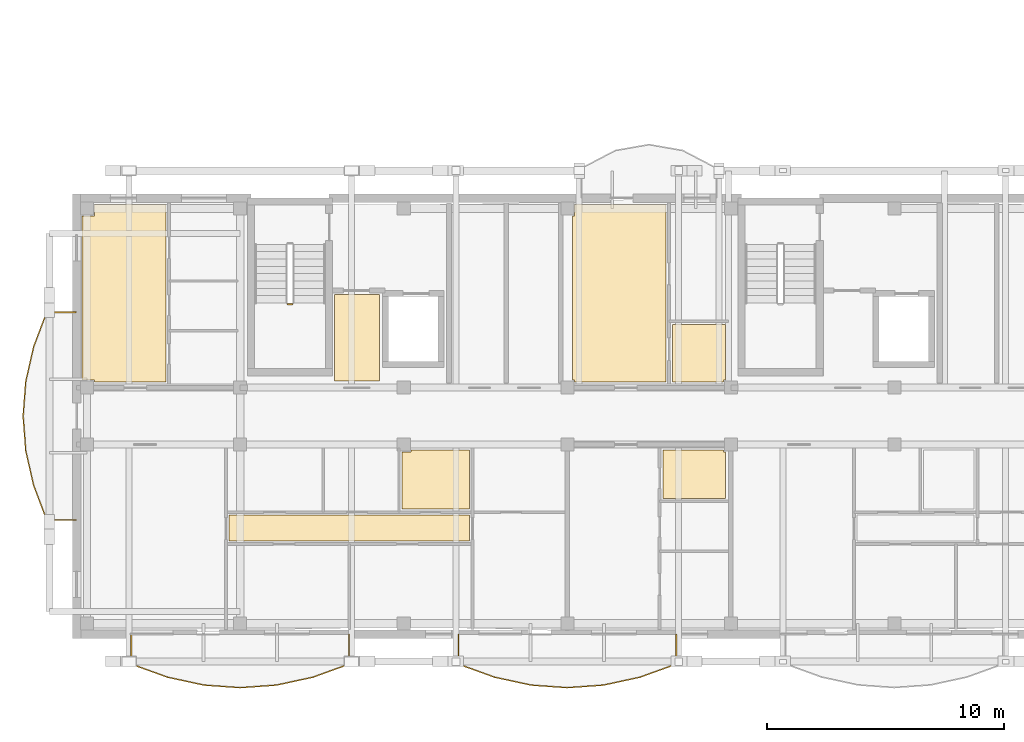
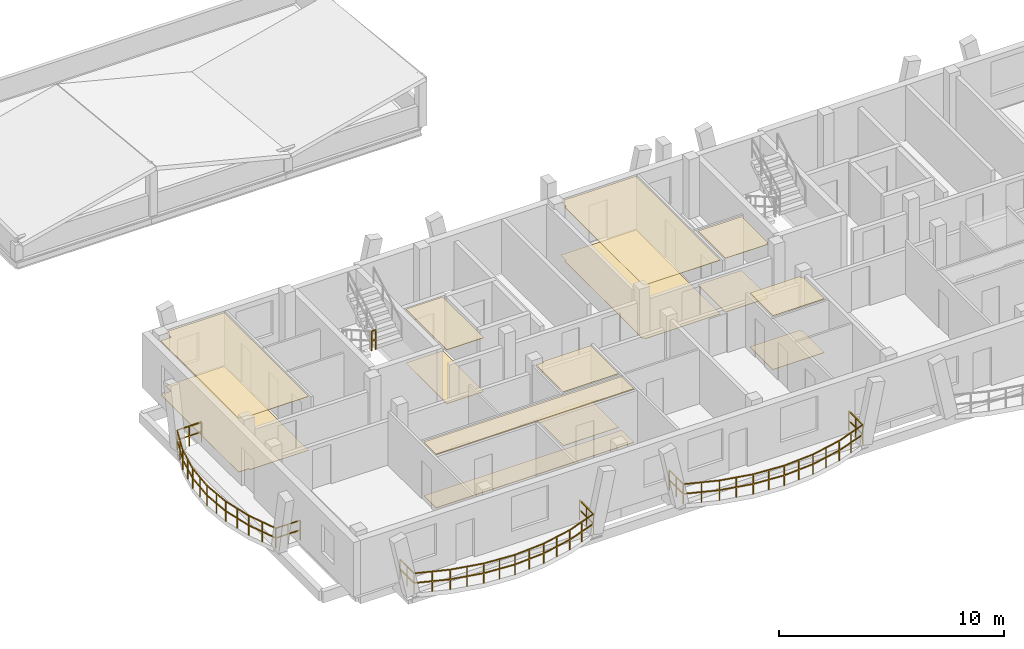
# One storey, part 39 of 50: 14 coverings, 4 railings.
"""IFC4 building model written with IfcOpenShell, lengths in metres."""

from ifc_helpers import new_model, si_unit, direction, frame, origin, origin_2d, place, context, subcontext, project, spatial, polyline, rectangle, outline, extrude, material, layer, layer_set, type_object, element, save


model = new_model("IFC4")

# Units and contexts
model_context = context("Model", 3, precision=1e-05, world=origin(), true_north=direction((0.0, 1.0)))
body_context = subcontext(model_context, "Body", "Model", "MODEL_VIEW")
ifc_project = project(units=[si_unit("LENGTHUNIT", "METRE"), si_unit("AREAUNIT", "SQUARE_METRE"), si_unit("VOLUMEUNIT", "CUBIC_METRE"), si_unit("PLANEANGLEUNIT", "RADIAN"), si_unit("MASSUNIT", "GRAM", prefix="KILO")], contexts=[model_context])

# Site, building, storey
site_placement = place(None, origin())
site = spatial("IfcSite", under=ifc_project, at=site_placement, CompositionType="ELEMENT")
building_placement = place(site_placement, origin())
building = spatial("IfcBuilding", under=site, at=building_placement, Name="Zavelmont Quarter", CompositionType="ELEMENT")
storey_placement = place(building_placement, frame((0.0, 0.0, 11.199951171875)))
storey = spatial("IfcBuildingStorey", under=building, at=storey_placement, Name="L03", CompositionType="ELEMENT", Elevation=11.199951171875)

# Coverings
ifc_material_1 = material(Name="Perforated acoustic gypsum board")
ifc_layer_1 = layer(ifc_material_1, 0.02490234375)
ifc_layer_set_1 = layer_set([ifc_layer_1], Name="Perforated acoustic gypsum board")
covering_type_1 = type_object("IfcCoveringType", Name="CV-CL01", PredefinedType="CEILING", material=ifc_layer_set_1)
covering_1_placement = place(storey_placement, frame((0.0, 0.0, 2.9150390625)))
element("IfcCovering", 1, at=covering_1_placement, inside=storey, type_object=covering_type_1, Name="L03 Lobby Vestibule acoustic ceiling", PredefinedType="CEILING", context=body_context, shape_type="SweptSolid", body=[
    extrude(outline(polyline([(10.8798828125, 14.320068359375), (12.77001953125, 14.320068359375), (12.77001953125, 10.679931640625), (10.8798828125, 10.679931640625), (10.8798828125, 14.320068359375)])), origin(), (0.0, 0.0, 1.0), 0.02490234375),
])
covering_2_placement = place(storey_placement, frame((0.0, 0.0, 2.9150390625)))
element("IfcCovering", 2, at=covering_2_placement, inside=storey, type_object=covering_type_1, Name="L03 Utility Laundry acoustic ceiling", PredefinedType="CEILING", context=body_context, shape_type="SweptSolid", body=[
    extrude(outline(polyline([(13.72998046875, 7.68505859375), (14.114990234375, 7.68505859375), (14.114990234375, 7.77001953125), (16.570068359375, 7.77001953125), (16.570068359375, 5.280029296875), (13.72998046875, 5.280029296875), (13.72998046875, 7.68505859375)])), origin(), (0.0, 0.0, 1.0), 0.02490234375),
])
covering_3_placement = place(storey_placement, frame((0.0, 0.0, 2.9150390625)))
element("IfcCovering", 3, at=covering_3_placement, inside=storey, type_object=covering_type_1, Name="L03 Kitchen acoustic ceiling", PredefinedType="CEILING", context=body_context, shape_type="SweptSolid", body=[
    extrude(outline(polyline([(24.72998046875, 7.77001953125), (27.284912109375, 7.77001953125), (27.284912109375, 7.68505859375), (27.3701171875, 7.68505859375), (27.3701171875, 5.72998046875), (24.72998046875, 5.72998046875), (24.72998046875, 7.77001953125)])), origin(), (0.0, 0.0, 1.0), 0.02490234375),
])
covering_4_placement = place(storey_placement, frame((0.0, 0.0, 2.9150390625)))
element("IfcCovering", 4, at=covering_4_placement, inside=storey, type_object=covering_type_1, Name="L03 Living Dining acoustic ceiling", PredefinedType="CEILING", context=body_context, shape_type="SweptSolid", body=[
    extrude(outline(polyline([(0.22998046875, 17.64501953125), (0.7548828125, 17.64501953125), (0.7548828125, 18.1201171875), (3.77001953125, 18.1201171875), (3.77001953125, 10.6298828125), (0.7548828125, 10.6298828125), (0.7548828125, 10.715087890625), (0.22998046875, 10.715087890625), (0.22998046875, 17.64501953125)])), origin(), (0.0, 0.0, 1.0), 0.02490234375),
])
covering_5_placement = place(storey_placement, frame((0.0, 0.0, 2.9150390625)))
element("IfcCovering", 5, at=covering_5_placement, inside=storey, type_object=covering_type_1, Name="L03 Residents Study Lounge acoustic ceiling", PredefinedType="CEILING", context=body_context, shape_type="SweptSolid", body=[
    extrude(outline(polyline([(20.929931640625, 17.64501953125), (21.014892578125, 17.64501953125), (21.014892578125, 18.1201171875), (24.8701171875, 18.1201171875), (24.8701171875, 10.6298828125), (21.014892578125, 10.6298828125), (21.014892578125, 10.715087890625), (20.929931640625, 10.715087890625), (20.929931640625, 17.64501953125)])), origin(), (0.0, 0.0, 1.0), 0.02490234375),
])
ifc_material_2 = material(Name="Slatted European ash acoustic baffle ceiling")
ifc_layer_2 = layer(ifc_material_2, 0.0400390625)
ifc_layer_set_2 = layer_set([ifc_layer_2], Name="Slatted European ash acoustic baffle ceiling")
covering_type_2 = type_object("IfcCoveringType", Name="CV-CL02", PredefinedType="CEILING", material=ifc_layer_set_2)
covering_6_placement = place(storey_placement, frame((0.0, 0.0, 2.900146484375)))
element("IfcCovering", 6, at=covering_6_placement, inside=storey, type_object=covering_type_2, Name="L03 Apartment Hall acoustic ceiling", PredefinedType="CEILING", context=body_context, shape_type="SweptSolid", body=[
    extrude(outline(polyline([(6.429931640625, 5.02001953125), (16.570068359375, 5.02001953125), (16.570068359375, 3.929931640625), (6.429931640625, 3.929931640625), (6.429931640625, 5.02001953125)])), origin(), (0.0, 0.0, 1.0), 0.039794921875),
])
ifc_material_3 = material(Name="Moisture-resistant painted gypsum ceiling")
ifc_layer_3 = layer(ifc_material_3, 0.02001953125)
ifc_layer_set_3 = layer_set([ifc_layer_3], Name="Moisture-resistant painted gypsum ceiling")
covering_type_3 = type_object("IfcCoveringType", Name="CV-CL04", PredefinedType="CEILING", material=ifc_layer_set_3)
covering_7_placement = place(storey_placement, frame((0.0, 0.0, 2.920166015625)))
element("IfcCovering", 7, at=covering_7_placement, inside=storey, type_object=covering_type_3, Name="L03 Accessible Toilet acoustic ceiling", PredefinedType="CEILING", context=body_context, shape_type="SweptSolid", body=[
    extrude(outline(polyline([(25.1298828125, 13.070068359375), (27.3701171875, 13.070068359375), (27.3701171875, 10.715087890625), (27.284912109375, 10.715087890625), (27.284912109375, 10.6298828125), (25.1298828125, 10.6298828125), (25.1298828125, 13.070068359375)])), origin(), (0.0, 0.0, 1.0), 0.019775390625),
])
ifc_material_4 = material(Name="Engineered European oak parquet")
ifc_layer_4 = layer(ifc_material_4, 0.02197265625)
ifc_layer_set_4 = layer_set([ifc_layer_4], Name="Engineered European oak parquet")
covering_type_4 = type_object("IfcCoveringType", Name="CV-FL01", PredefinedType="FLOORING", material=ifc_layer_set_4)
covering_8_placement = place(storey_placement, origin())
element("IfcCovering", 8, at=covering_8_placement, inside=storey, type_object=covering_type_4, Name="L03 Lobby Vestibule floor finish", PredefinedType="FLOORING", context=body_context, shape_type="SweptSolid", body=[
    extrude(outline(polyline([(10.8798828125, 14.320068359375), (12.77001953125, 14.320068359375), (12.77001953125, 10.679931640625), (10.8798828125, 10.679931640625), (10.8798828125, 14.320068359375)])), origin(), (0.0, 0.0, 1.0), 0.02197265625),
])
covering_9_placement = place(storey_placement, origin())
element("IfcCovering", 9, at=covering_9_placement, inside=storey, type_object=covering_type_4, Name="L03 Utility Laundry floor finish", PredefinedType="FLOORING", context=body_context, shape_type="SweptSolid", body=[
    extrude(outline(polyline([(13.72998046875, 7.68505859375), (14.114990234375, 7.68505859375), (14.114990234375, 7.77001953125), (16.570068359375, 7.77001953125), (16.570068359375, 5.280029296875), (13.72998046875, 5.280029296875), (13.72998046875, 7.68505859375)])), origin(), (0.0, 0.0, 1.0), 0.02197265625),
])
covering_10_placement = place(storey_placement, origin())
element("IfcCovering", 10, at=covering_10_placement, inside=storey, type_object=covering_type_4, Name="L03 Kitchen floor finish", PredefinedType="FLOORING", context=body_context, shape_type="SweptSolid", body=[
    extrude(outline(polyline([(24.72998046875, 7.77001953125), (27.284912109375, 7.77001953125), (27.284912109375, 7.68505859375), (27.3701171875, 7.68505859375), (27.3701171875, 5.72998046875), (24.72998046875, 5.72998046875), (24.72998046875, 7.77001953125)])), origin(), (0.0, 0.0, 1.0), 0.02197265625),
])
covering_11_placement = place(storey_placement, origin())
element("IfcCovering", 11, at=covering_11_placement, inside=storey, type_object=covering_type_4, Name="L03 Living Dining floor finish", PredefinedType="FLOORING", context=body_context, shape_type="SweptSolid", body=[
    extrude(outline(polyline([(0.22998046875, 17.64501953125), (0.7548828125, 17.64501953125), (0.7548828125, 18.1201171875), (3.77001953125, 18.1201171875), (3.77001953125, 10.6298828125), (0.7548828125, 10.6298828125), (0.7548828125, 10.715087890625), (0.22998046875, 10.715087890625), (0.22998046875, 17.64501953125)])), origin(), (0.0, 0.0, 1.0), 0.02197265625),
])
covering_12_placement = place(storey_placement, origin())
element("IfcCovering", 12, at=covering_12_placement, inside=storey, type_object=covering_type_4, Name="L03 Residents Study Lounge floor finish", PredefinedType="FLOORING", context=body_context, shape_type="SweptSolid", body=[
    extrude(outline(polyline([(20.929931640625, 17.64501953125), (21.014892578125, 17.64501953125), (21.014892578125, 18.1201171875), (24.8701171875, 18.1201171875), (24.8701171875, 10.6298828125), (21.014892578125, 10.6298828125), (21.014892578125, 10.715087890625), (20.929931640625, 10.715087890625), (20.929931640625, 17.64501953125)])), origin(), (0.0, 0.0, 1.0), 0.02197265625),
])
ifc_material_5 = material(Name="Honed Belgian bluestone tile", Category="masonry")
ifc_layer_5 = layer(ifc_material_5, 0.030029296875)
ifc_layer_set_5 = layer_set([ifc_layer_5], Name="Honed Belgian bluestone tile")
covering_type_5 = type_object("IfcCoveringType", Name="CV-FL02", PredefinedType="FLOORING", material=ifc_layer_set_5)
covering_13_placement = place(storey_placement, origin())
element("IfcCovering", 13, at=covering_13_placement, inside=storey, type_object=covering_type_5, Name="L03 Apartment Hall floor finish", PredefinedType="FLOORING", context=body_context, shape_type="SweptSolid", body=[
    extrude(outline(polyline([(6.429931640625, 5.02001953125), (16.570068359375, 5.02001953125), (16.570068359375, 3.929931640625), (6.429931640625, 3.929931640625), (6.429931640625, 5.02001953125)])), origin(), (0.0, 0.0, 1.0), 0.030029296875),
])
ifc_material_6 = material(Name="Slip-resistant porcelain tile")
ifc_layer_6 = layer(ifc_material_6, 0.02587890625)
ifc_layer_set_6 = layer_set([ifc_layer_6], Name="Slip-resistant porcelain tile")
covering_type_6 = type_object("IfcCoveringType", Name="CV-FL04", PredefinedType="FLOORING", material=ifc_layer_set_6)
covering_14_placement = place(storey_placement, origin())
element("IfcCovering", 14, at=covering_14_placement, inside=storey, type_object=covering_type_6, Name="L03 Accessible Toilet floor finish", PredefinedType="FLOORING", context=body_context, shape_type="SweptSolid", body=[
    extrude(outline(polyline([(25.1298828125, 13.070068359375), (27.3701171875, 13.070068359375), (27.3701171875, 10.715087890625), (27.284912109375, 10.715087890625), (27.284912109375, 10.6298828125), (25.1298828125, 10.6298828125), (25.1298828125, 13.070068359375)])), origin(), (0.0, 0.0, 1.0), 0.026123046875),
])

# Railings
ifc_material_7 = material(Name="Powder-coated steel and tempered double safety glass", Category="steel")
railing_type_1 = type_object("IfcRailingType", Name="RL-BAL1", PredefinedType="BALUSTRADE", material=ifc_material_7)
railing_1_placement = place(storey_placement, frame((2.302978515625, -0.02001953125, 0.0)))
element("IfcRailing", 15, at=railing_1_placement, inside=storey, type_object=railing_type_1, Name="L03 Block A curved balcony guard RL-BAL1", PredefinedType="BALUSTRADE", context=body_context, shape_type="SweptSolid", body=[
    extrude(rectangle(XDim=0.048095703125, YDim=0.048095703125, at=origin_2d()), frame((0.0, 0.0, 1.076171875), z_axis=(0.0, -1.0, 0.0), x_axis=(1.0, 0.0, 0.0)), (0.0, 0.0, 1.0), 1.24658203125),
    extrude(rectangle(XDim=0.048095703125, YDim=0.048095703125, at=origin_2d()), frame((0.0, 0.0, 0.550048828125), z_axis=(0.0, -1.0, 0.0), x_axis=(1.0, 0.0, 0.0)), (0.0, 0.0, 1.0), 1.24658203125),
    extrude(rectangle(XDim=0.048095703125, YDim=0.048095703125, at=origin_2d()), frame((0.0, -1.24658203125, 1.076171875), z_axis=(0.940617720772, -0.339467676474, 0.0), x_axis=(0.339467676474, 0.940617720772, 0.0)), (0.0, 0.0, 1.0), 1.62890625),
    extrude(rectangle(XDim=0.048095703125, YDim=0.048095703125, at=origin_2d()), frame((0.0, -1.24658203125, 0.550048828125), z_axis=(0.940617720772, -0.339467676474, 0.0), x_axis=(0.339467676474, 0.940617720772, 0.0)), (0.0, 0.0, 1.0), 1.62890625),
    extrude(rectangle(XDim=0.048095703125, YDim=0.048095703125, at=origin_2d()), frame((1.5322265625, -1.799560546875, 1.076171875), z_axis=(0.977355888614, -0.211602143162, 0.0), x_axis=(0.211602143162, 0.977355888614, 0.0)), (0.0, 0.0, 1.0), 1.56787109375),
    extrude(rectangle(XDim=0.048095703125, YDim=0.048095703125, at=origin_2d()), frame((1.5322265625, -1.799560546875, 0.550048828125), z_axis=(0.977355888614, -0.211602143162, 0.0), x_axis=(0.211602143162, 0.977355888614, 0.0)), (0.0, 0.0, 1.0), 1.56787109375),
    extrude(rectangle(XDim=0.048095703125, YDim=0.048095703125, at=origin_2d()), frame((3.064697265625, -2.13134765625, 1.076171875), z_axis=(0.997405177831, -0.071992438744, 0.0), x_axis=(0.071992438744, 0.997405177831, 0.0)), (0.0, 0.0, 1.0), 1.5361328125),
    extrude(rectangle(XDim=0.048095703125, YDim=0.048095703125, at=origin_2d()), frame((3.064697265625, -2.13134765625, 0.550048828125), z_axis=(0.997405177831, -0.071992438744, 0.0), x_axis=(0.071992438744, 0.997405177831, 0.0)), (0.0, 0.0, 1.0), 1.5361328125),
    extrude(rectangle(XDim=0.048095703125, YDim=0.048095703125, at=origin_2d()), frame((4.596923828125, -2.241943359375, 1.076171875), z_axis=(0.997406001322, 0.071981028931, 0.0), x_axis=(-0.071981028931, 0.997406001322, 0.0)), (0.0, 0.0, 1.0), 1.536376953125),
    extrude(rectangle(XDim=0.048095703125, YDim=0.048095703125, at=origin_2d()), frame((4.596923828125, -2.241943359375, 0.550048828125), z_axis=(0.997406001322, 0.071981028931, 0.0), x_axis=(-0.071981028931, 0.997406001322, 0.0)), (0.0, 0.0, 1.0), 1.536376953125),
    extrude(rectangle(XDim=0.048095703125, YDim=0.048095703125, at=origin_2d()), frame((6.12939453125, -2.13134765625, 1.076171875), z_axis=(0.97734891529, 0.211634349248, 0.0), x_axis=(-0.211634349248, 0.97734891529, 0.0)), (0.0, 0.0, 1.0), 1.567626953125),
    extrude(rectangle(XDim=0.048095703125, YDim=0.048095703125, at=origin_2d()), frame((6.12939453125, -2.13134765625, 0.550048828125), z_axis=(0.97734891529, 0.211634349248, 0.0), x_axis=(-0.211634349248, 0.97734891529, 0.0)), (0.0, 0.0, 1.0), 1.567626953125),
    extrude(rectangle(XDim=0.048095703125, YDim=0.048095703125, at=origin_2d()), frame((7.66162109375, -1.799560546875, 1.076171875), z_axis=(0.940634988502, 0.339419826184, 0.0), x_axis=(-0.339419826184, 0.940634988502, 0.0)), (0.0, 0.0, 1.0), 1.629150390625),
    extrude(rectangle(XDim=0.048095703125, YDim=0.048095703125, at=origin_2d()), frame((7.66162109375, -1.799560546875, 0.550048828125), z_axis=(0.940634988502, 0.339419826184, 0.0), x_axis=(-0.339419826184, 0.940634988502, 0.0)), (0.0, 0.0, 1.0), 1.629150390625),
    extrude(rectangle(XDim=0.048095703125, YDim=0.048095703125, at=origin_2d()), frame((9.194091796875, -1.24658203125, 1.076171875), z_axis=(0.0, 1.0, 0.0), x_axis=(-1.0, 0.0, 0.0)), (0.0, 0.0, 1.0), 1.24658203125),
    extrude(rectangle(XDim=0.048095703125, YDim=0.048095703125, at=origin_2d()), frame((9.194091796875, -1.24658203125, 0.550048828125), z_axis=(0.0, 1.0, 0.0), x_axis=(-1.0, 0.0, 0.0)), (0.0, 0.0, 1.0), 1.24658203125),
    extrude(rectangle(XDim=0.0419921875, YDim=0.0419921875, at=origin_2d()), origin(), (0.0, 0.0, 1.0), 1.052001953125),
    extrude(rectangle(XDim=0.0419921875, YDim=0.0419921875, at=origin_2d()), frame((0.0, -0.623291015625, 0.0)), (0.0, 0.0, 1.0), 1.052001953125),
    extrude(rectangle(XDim=0.0419921875, YDim=0.0419921875, at=origin_2d()), frame((0.0, -1.24658203125, 0.0)), (0.0, 0.0, 1.0), 1.052001953125),
    extrude(rectangle(XDim=0.0419921875, YDim=0.0419921875, at=origin_2d()), frame((0.76611328125, -1.52294921875, 0.0)), (0.0, 0.0, 1.0), 1.052001953125),
    extrude(rectangle(XDim=0.0419921875, YDim=0.0419921875, at=origin_2d()), frame((1.5322265625, -1.799560546875, 0.0)), (0.0, 0.0, 1.0), 1.052001953125),
    extrude(rectangle(XDim=0.0419921875, YDim=0.0419921875, at=origin_2d()), frame((2.29833984375, -1.96533203125, 0.0)), (0.0, 0.0, 1.0), 1.052001953125),
    extrude(rectangle(XDim=0.0419921875, YDim=0.0419921875, at=origin_2d()), frame((3.064697265625, -2.13134765625, 0.0)), (0.0, 0.0, 1.0), 1.052001953125),
    extrude(rectangle(XDim=0.0419921875, YDim=0.0419921875, at=origin_2d()), frame((3.830810546875, -2.1865234375, 0.0)), (0.0, 0.0, 1.0), 1.052001953125),
    extrude(rectangle(XDim=0.0419921875, YDim=0.0419921875, at=origin_2d()), frame((4.596923828125, -2.241943359375, 0.0)), (0.0, 0.0, 1.0), 1.052001953125),
    extrude(rectangle(XDim=0.0419921875, YDim=0.0419921875, at=origin_2d()), frame((5.36328125, -2.1865234375, 0.0)), (0.0, 0.0, 1.0), 1.052001953125),
    extrude(rectangle(XDim=0.0419921875, YDim=0.0419921875, at=origin_2d()), frame((6.12939453125, -2.13134765625, 0.0)), (0.0, 0.0, 1.0), 1.052001953125),
    extrude(rectangle(XDim=0.0419921875, YDim=0.0419921875, at=origin_2d()), frame((6.8955078125, -1.96533203125, 0.0)), (0.0, 0.0, 1.0), 1.052001953125),
    extrude(rectangle(XDim=0.0419921875, YDim=0.0419921875, at=origin_2d()), frame((7.66162109375, -1.799560546875, 0.0)), (0.0, 0.0, 1.0), 1.052001953125),
    extrude(rectangle(XDim=0.0419921875, YDim=0.0419921875, at=origin_2d()), frame((8.427734375, -1.52294921875, 0.0)), (0.0, 0.0, 1.0), 1.052001953125),
    extrude(rectangle(XDim=0.0419921875, YDim=0.0419921875, at=origin_2d()), frame((9.194091796875, -1.24658203125, 0.0)), (0.0, 0.0, 1.0), 1.052001953125),
    extrude(rectangle(XDim=0.0419921875, YDim=0.0419921875, at=origin_2d()), frame((9.194091796875, -0.623291015625, 0.0)), (0.0, 0.0, 1.0), 1.052001953125),
    extrude(rectangle(XDim=0.0419921875, YDim=0.0419921875, at=origin_2d()), frame((9.194091796875, 0.0, 0.0)), (0.0, 0.0, 1.0), 1.052001953125),
])
railing_2_placement = place(storey_placement, frame((16.102783203125, -0.02001953125, 0.0)))
element("IfcRailing", 16, at=railing_2_placement, inside=storey, type_object=railing_type_1, Name="L03 Block A curved balcony guard RL-BAL1", PredefinedType="BALUSTRADE", context=body_context, shape_type="SweptSolid", body=[
    extrude(rectangle(XDim=0.048095703125, YDim=0.048095703125, at=origin_2d()), frame((0.0, 0.0, 1.076171875), z_axis=(0.0, -1.0, 0.0), x_axis=(1.0, 0.0, 0.0)), (0.0, 0.0, 1.0), 1.24658203125),
    extrude(rectangle(XDim=0.048095703125, YDim=0.048095703125, at=origin_2d()), frame((0.0, 0.0, 0.550048828125), z_axis=(0.0, -1.0, 0.0), x_axis=(1.0, 0.0, 0.0)), (0.0, 0.0, 1.0), 1.24658203125),
    extrude(rectangle(XDim=0.048095703125, YDim=0.048095703125, at=origin_2d()), frame((0.0, -1.24658203125, 1.076171875), z_axis=(0.940634988502, -0.339419826184, 0.0), x_axis=(0.339419826184, 0.940634988502, 0.0)), (0.0, 0.0, 1.0), 1.629150390625),
    extrude(rectangle(XDim=0.048095703125, YDim=0.048095703125, at=origin_2d()), frame((0.0, -1.24658203125, 0.550048828125), z_axis=(0.940634988502, -0.339419826184, 0.0), x_axis=(0.339419826184, 0.940634988502, 0.0)), (0.0, 0.0, 1.0), 1.629150390625),
    extrude(rectangle(XDim=0.048095703125, YDim=0.048095703125, at=origin_2d()), frame((1.532470703125, -1.799560546875, 1.076171875), z_axis=(0.97734891529, -0.211634349248, 0.0), x_axis=(0.211634349248, 0.97734891529, 0.0)), (0.0, 0.0, 1.0), 1.567626953125),
    extrude(rectangle(XDim=0.048095703125, YDim=0.048095703125, at=origin_2d()), frame((1.532470703125, -1.799560546875, 0.550048828125), z_axis=(0.97734891529, -0.211634349248, 0.0), x_axis=(0.211634349248, 0.97734891529, 0.0)), (0.0, 0.0, 1.0), 1.567626953125),
    extrude(rectangle(XDim=0.048095703125, YDim=0.048095703125, at=origin_2d()), frame((3.064697265625, -2.13134765625, 1.076171875), z_axis=(0.997406001322, -0.071981028931, 0.0), x_axis=(0.071981028931, 0.997406001322, 0.0)), (0.0, 0.0, 1.0), 1.536376953125),
    extrude(rectangle(XDim=0.048095703125, YDim=0.048095703125, at=origin_2d()), frame((3.064697265625, -2.13134765625, 0.550048828125), z_axis=(0.997406001322, -0.071981028931, 0.0), x_axis=(0.071981028931, 0.997406001322, 0.0)), (0.0, 0.0, 1.0), 1.536376953125),
    extrude(rectangle(XDim=0.048095703125, YDim=0.048095703125, at=origin_2d()), frame((4.59716796875, -2.241943359375, 1.076171875), z_axis=(0.997406001322, 0.071981028931, 0.0), x_axis=(-0.071981028931, 0.997406001322, 0.0)), (0.0, 0.0, 1.0), 1.536376953125),
    extrude(rectangle(XDim=0.048095703125, YDim=0.048095703125, at=origin_2d()), frame((4.59716796875, -2.241943359375, 0.550048828125), z_axis=(0.997406001322, 0.071981028931, 0.0), x_axis=(-0.071981028931, 0.997406001322, 0.0)), (0.0, 0.0, 1.0), 1.536376953125),
    extrude(rectangle(XDim=0.048095703125, YDim=0.048095703125, at=origin_2d()), frame((6.129638671875, -2.13134765625, 1.076171875), z_axis=(0.97734891529, 0.211634349248, 0.0), x_axis=(-0.211634349248, 0.97734891529, 0.0)), (0.0, 0.0, 1.0), 1.567626953125),
    extrude(rectangle(XDim=0.048095703125, YDim=0.048095703125, at=origin_2d()), frame((6.129638671875, -2.13134765625, 0.550048828125), z_axis=(0.97734891529, 0.211634349248, 0.0), x_axis=(-0.211634349248, 0.97734891529, 0.0)), (0.0, 0.0, 1.0), 1.567626953125),
    extrude(rectangle(XDim=0.048095703125, YDim=0.048095703125, at=origin_2d()), frame((7.661865234375, -1.799560546875, 1.076171875), z_axis=(0.940634988502, 0.339419826184, 0.0), x_axis=(-0.339419826184, 0.940634988502, 0.0)), (0.0, 0.0, 1.0), 1.629150390625),
    extrude(rectangle(XDim=0.048095703125, YDim=0.048095703125, at=origin_2d()), frame((7.661865234375, -1.799560546875, 0.550048828125), z_axis=(0.940634988502, 0.339419826184, 0.0), x_axis=(-0.339419826184, 0.940634988502, 0.0)), (0.0, 0.0, 1.0), 1.629150390625),
    extrude(rectangle(XDim=0.048095703125, YDim=0.048095703125, at=origin_2d()), frame((9.1943359375, -1.24658203125, 1.076171875), z_axis=(0.0, 1.0, 0.0), x_axis=(-1.0, 0.0, 0.0)), (0.0, 0.0, 1.0), 1.24658203125),
    extrude(rectangle(XDim=0.048095703125, YDim=0.048095703125, at=origin_2d()), frame((9.1943359375, -1.24658203125, 0.550048828125), z_axis=(0.0, 1.0, 0.0), x_axis=(-1.0, 0.0, 0.0)), (0.0, 0.0, 1.0), 1.24658203125),
    extrude(rectangle(XDim=0.0419921875, YDim=0.0419921875, at=origin_2d()), origin(), (0.0, 0.0, 1.0), 1.052001953125),
    extrude(rectangle(XDim=0.0419921875, YDim=0.0419921875, at=origin_2d()), frame((0.0, -0.623291015625, 0.0)), (0.0, 0.0, 1.0), 1.052001953125),
    extrude(rectangle(XDim=0.0419921875, YDim=0.0419921875, at=origin_2d()), frame((0.0, -1.24658203125, 0.0)), (0.0, 0.0, 1.0), 1.052001953125),
    extrude(rectangle(XDim=0.0419921875, YDim=0.0419921875, at=origin_2d()), frame((0.76611328125, -1.52294921875, 0.0)), (0.0, 0.0, 1.0), 1.052001953125),
    extrude(rectangle(XDim=0.0419921875, YDim=0.0419921875, at=origin_2d()), frame((1.532470703125, -1.799560546875, 0.0)), (0.0, 0.0, 1.0), 1.052001953125),
    extrude(rectangle(XDim=0.0419921875, YDim=0.0419921875, at=origin_2d()), frame((2.298583984375, -1.96533203125, 0.0)), (0.0, 0.0, 1.0), 1.052001953125),
    extrude(rectangle(XDim=0.0419921875, YDim=0.0419921875, at=origin_2d()), frame((3.064697265625, -2.13134765625, 0.0)), (0.0, 0.0, 1.0), 1.052001953125),
    extrude(rectangle(XDim=0.0419921875, YDim=0.0419921875, at=origin_2d()), frame((3.8310546875, -2.1865234375, 0.0)), (0.0, 0.0, 1.0), 1.052001953125),
    extrude(rectangle(XDim=0.0419921875, YDim=0.0419921875, at=origin_2d()), frame((4.59716796875, -2.241943359375, 0.0)), (0.0, 0.0, 1.0), 1.052001953125),
    extrude(rectangle(XDim=0.0419921875, YDim=0.0419921875, at=origin_2d()), frame((5.36328125, -2.1865234375, 0.0)), (0.0, 0.0, 1.0), 1.052001953125),
    extrude(rectangle(XDim=0.0419921875, YDim=0.0419921875, at=origin_2d()), frame((6.129638671875, -2.13134765625, 0.0)), (0.0, 0.0, 1.0), 1.052001953125),
    extrude(rectangle(XDim=0.0419921875, YDim=0.0419921875, at=origin_2d()), frame((6.895751953125, -1.96533203125, 0.0)), (0.0, 0.0, 1.0), 1.052001953125),
    extrude(rectangle(XDim=0.0419921875, YDim=0.0419921875, at=origin_2d()), frame((7.661865234375, -1.799560546875, 0.0)), (0.0, 0.0, 1.0), 1.052001953125),
    extrude(rectangle(XDim=0.0419921875, YDim=0.0419921875, at=origin_2d()), frame((8.42822265625, -1.52294921875, 0.0)), (0.0, 0.0, 1.0), 1.052001953125),
    extrude(rectangle(XDim=0.0419921875, YDim=0.0419921875, at=origin_2d()), frame((9.1943359375, -1.24658203125, 0.0)), (0.0, 0.0, 1.0), 1.052001953125),
    extrude(rectangle(XDim=0.0419921875, YDim=0.0419921875, at=origin_2d()), frame((9.1943359375, -0.623291015625, 0.0)), (0.0, 0.0, 1.0), 1.052001953125),
    extrude(rectangle(XDim=0.0419921875, YDim=0.0419921875, at=origin_2d()), frame((9.1943359375, 0.0, 0.0)), (0.0, 0.0, 1.0), 1.052001953125),
])
railing_3_placement = place(storey_placement, frame((-0.02001953125, 13.5830078125, 0.0)))
element("IfcRailing", 17, at=railing_3_placement, inside=storey, type_object=railing_type_1, Name="L03 Block A curved balcony guard RL-BAL1", PredefinedType="BALUSTRADE", context=body_context, shape_type="SweptSolid", body=[
    extrude(rectangle(XDim=0.048095703125, YDim=0.048095703125, at=origin_2d()), frame((0.0, 0.0, 1.076171875), z_axis=(-1.0, 0.0, 0.0), x_axis=(0.0, -1.0, 0.0)), (0.0, 0.0, 1.0), 1.24658203125),
    extrude(rectangle(XDim=0.048095703125, YDim=0.048095703125, at=origin_2d()), frame((0.0, 0.0, 0.550048828125), z_axis=(-1.0, 0.0, 0.0), x_axis=(0.0, -1.0, 0.0)), (0.0, 0.0, 1.0), 1.24658203125),
    extrude(rectangle(XDim=0.048095703125, YDim=0.048095703125, at=origin_2d()), frame((-1.24658203125, 0.0, 1.076171875), z_axis=(-0.353999251839, -0.935245705522, 0.0), x_axis=(0.935245705522, -0.353999251839, 0.0)), (0.0, 0.0, 1.0), 1.56201171875),
    extrude(rectangle(XDim=0.048095703125, YDim=0.048095703125, at=origin_2d()), frame((-1.24658203125, 0.0, 0.550048828125), z_axis=(-0.353999251839, -0.935245705522, 0.0), x_axis=(0.935245705522, -0.353999251839, 0.0)), (0.0, 0.0, 1.0), 1.56201171875),
    extrude(rectangle(XDim=0.048095703125, YDim=0.048095703125, at=origin_2d()), frame((-1.799560546875, -1.4609375, 1.076171875), z_axis=(-0.221430953226, -0.975176052287, 0.0), x_axis=(0.975176052287, -0.221430953226, 0.0)), (0.0, 0.0, 1.0), 1.498291015625),
    extrude(rectangle(XDim=0.048095703125, YDim=0.048095703125, at=origin_2d()), frame((-1.799560546875, -1.4609375, 0.550048828125), z_axis=(-0.221430953226, -0.975176052287, 0.0), x_axis=(0.975176052287, -0.221430953226, 0.0)), (0.0, 0.0, 1.0), 1.498291015625),
    extrude(rectangle(XDim=0.048095703125, YDim=0.048095703125, at=origin_2d()), frame((-2.13134765625, -2.922119140625, 1.076171875), z_axis=(-0.075485884411, -0.997146870453, 0.0), x_axis=(0.997146870453, -0.075485884411, 0.0)), (0.0, 0.0, 1.0), 1.465087890625),
    extrude(rectangle(XDim=0.048095703125, YDim=0.048095703125, at=origin_2d()), frame((-2.13134765625, -2.922119140625, 0.550048828125), z_axis=(-0.075485884411, -0.997146870453, 0.0), x_axis=(0.997146870453, -0.075485884411, 0.0)), (0.0, 0.0, 1.0), 1.465087890625),
    extrude(rectangle(XDim=0.048095703125, YDim=0.048095703125, at=origin_2d()), frame((-2.241943359375, -4.383056640625, 1.076171875), z_axis=(0.075485884411, -0.997146870453, 0.0), x_axis=(0.997146870453, 0.075485884411, 0.0)), (0.0, 0.0, 1.0), 1.465087890625),
    extrude(rectangle(XDim=0.048095703125, YDim=0.048095703125, at=origin_2d()), frame((-2.241943359375, -4.383056640625, 0.550048828125), z_axis=(0.075485884411, -0.997146870453, 0.0), x_axis=(0.997146870453, 0.075485884411, 0.0)), (0.0, 0.0, 1.0), 1.465087890625),
    extrude(rectangle(XDim=0.048095703125, YDim=0.048095703125, at=origin_2d()), frame((-2.13134765625, -5.843994140625, 1.076171875), z_axis=(0.221466142269, -0.975168061325, 0.0), x_axis=(0.975168061325, 0.221466142269, 0.0)), (0.0, 0.0, 1.0), 1.498046875),
    extrude(rectangle(XDim=0.048095703125, YDim=0.048095703125, at=origin_2d()), frame((-2.13134765625, -5.843994140625, 0.550048828125), z_axis=(0.221466142269, -0.975168061325, 0.0), x_axis=(0.975168061325, 0.221466142269, 0.0)), (0.0, 0.0, 1.0), 1.498046875),
    extrude(rectangle(XDim=0.048095703125, YDim=0.048095703125, at=origin_2d()), frame((-1.799560546875, -7.304931640625, 1.076171875), z_axis=(0.353947514597, -0.935265286916, 0.0), x_axis=(0.935265286916, 0.353947514597, 0.0)), (0.0, 0.0, 1.0), 1.562255859375),
    extrude(rectangle(XDim=0.048095703125, YDim=0.048095703125, at=origin_2d()), frame((-1.799560546875, -7.304931640625, 0.550048828125), z_axis=(0.353947514597, -0.935265286916, 0.0), x_axis=(0.935265286916, 0.353947514597, 0.0)), (0.0, 0.0, 1.0), 1.562255859375),
    extrude(rectangle(XDim=0.048095703125, YDim=0.048095703125, at=origin_2d()), frame((-1.24658203125, -8.76611328125, 1.076171875), z_axis=(1.0, 0.0, 0.0), x_axis=(0.0, 1.0, 0.0)), (0.0, 0.0, 1.0), 1.24658203125),
    extrude(rectangle(XDim=0.048095703125, YDim=0.048095703125, at=origin_2d()), frame((-1.24658203125, -8.76611328125, 0.550048828125), z_axis=(1.0, 0.0, 0.0), x_axis=(0.0, 1.0, 0.0)), (0.0, 0.0, 1.0), 1.24658203125),
    extrude(rectangle(XDim=0.0419921875, YDim=0.0419921875, at=origin_2d()), origin(), (0.0, 0.0, 1.0), 1.052001953125),
    extrude(rectangle(XDim=0.0419921875, YDim=0.0419921875, at=origin_2d()), frame((-0.623291015625, 0.0, 0.0)), (0.0, 0.0, 1.0), 1.052001953125),
    extrude(rectangle(XDim=0.0419921875, YDim=0.0419921875, at=origin_2d()), frame((-1.24658203125, 0.0, 0.0)), (0.0, 0.0, 1.0), 1.052001953125),
    extrude(rectangle(XDim=0.0419921875, YDim=0.0419921875, at=origin_2d()), frame((-1.52294921875, -0.73046875, 0.0)), (0.0, 0.0, 1.0), 1.052001953125),
    extrude(rectangle(XDim=0.0419921875, YDim=0.0419921875, at=origin_2d()), frame((-1.799560546875, -1.4609375, 0.0)), (0.0, 0.0, 1.0), 1.052001953125),
    extrude(rectangle(XDim=0.0419921875, YDim=0.0419921875, at=origin_2d()), frame((-1.96533203125, -2.19140625, 0.0)), (0.0, 0.0, 1.0), 1.052001953125),
    extrude(rectangle(XDim=0.0419921875, YDim=0.0419921875, at=origin_2d()), frame((-2.13134765625, -2.922119140625, 0.0)), (0.0, 0.0, 1.0), 1.052001953125),
    extrude(rectangle(XDim=0.0419921875, YDim=0.0419921875, at=origin_2d()), frame((-2.1865234375, -3.652587890625, 0.0)), (0.0, 0.0, 1.0), 1.052001953125),
    extrude(rectangle(XDim=0.0419921875, YDim=0.0419921875, at=origin_2d()), frame((-2.241943359375, -4.383056640625, 0.0)), (0.0, 0.0, 1.0), 1.052001953125),
    extrude(rectangle(XDim=0.0419921875, YDim=0.0419921875, at=origin_2d()), frame((-2.1865234375, -5.113525390625, 0.0)), (0.0, 0.0, 1.0), 1.052001953125),
    extrude(rectangle(XDim=0.0419921875, YDim=0.0419921875, at=origin_2d()), frame((-2.13134765625, -5.843994140625, 0.0)), (0.0, 0.0, 1.0), 1.052001953125),
    extrude(rectangle(XDim=0.0419921875, YDim=0.0419921875, at=origin_2d()), frame((-1.96533203125, -6.574462890625, 0.0)), (0.0, 0.0, 1.0), 1.052001953125),
    extrude(rectangle(XDim=0.0419921875, YDim=0.0419921875, at=origin_2d()), frame((-1.799560546875, -7.304931640625, 0.0)), (0.0, 0.0, 1.0), 1.052001953125),
    extrude(rectangle(XDim=0.0419921875, YDim=0.0419921875, at=origin_2d()), frame((-1.52294921875, -8.03564453125, 0.0)), (0.0, 0.0, 1.0), 1.052001953125),
    extrude(rectangle(XDim=0.0419921875, YDim=0.0419921875, at=origin_2d()), frame((-1.24658203125, -8.76611328125, 0.0)), (0.0, 0.0, 1.0), 1.052001953125),
    extrude(rectangle(XDim=0.0419921875, YDim=0.0419921875, at=origin_2d()), frame((-0.623291015625, -8.76611328125, 0.0)), (0.0, 0.0, 1.0), 1.052001953125),
    extrude(rectangle(XDim=0.0419921875, YDim=0.0419921875, at=origin_2d()), frame((0.0, -8.76611328125, 0.0)), (0.0, 0.0, 1.0), 1.052001953125),
])
ifc_material_8 = material(Name="Powder-coated steel stair guardrail", Category="steel")
railing_type_2 = type_object("IfcRailingType", Name="RL-GRD1", PredefinedType="GUARDRAIL", material=ifc_material_8)
railing_4_placement = place(storey_placement, frame((8.89990234375, 13.919921875, 1.60009765625)))
element("IfcRailing", 18, at=railing_4_placement, inside=storey, type_object=railing_type_2, Name="L03 ST01 stair guardrail 2", PredefinedType="GUARDRAIL", context=body_context, shape_type="SweptSolid", body=[
    extrude(rectangle(XDim=0.048095703125, YDim=0.048095703125, at=origin_2d()), frame((0.0, 0.0, 1.076171875), z_axis=(1.0, 0.0, 0.0), x_axis=(0.0, 1.0, 0.0)), (0.0, 0.0, 1.0), 0.2001953125),
    extrude(rectangle(XDim=0.048095703125, YDim=0.048095703125, at=origin_2d()), frame((0.0, 0.0, 0.550048828125), z_axis=(1.0, 0.0, 0.0), x_axis=(0.0, 1.0, 0.0)), (0.0, 0.0, 1.0), 0.2001953125),
    extrude(rectangle(XDim=0.0419921875, YDim=0.0419921875, at=origin_2d()), origin(), (0.0, 0.0, 1.0), 1.052001953125),
    extrude(rectangle(XDim=0.0419921875, YDim=0.0419921875, at=origin_2d()), frame((0.2001953125, 0.0, 0.0)), (0.0, 0.0, 1.0), 1.052001953125),
])

save(model, "model.ifc")
